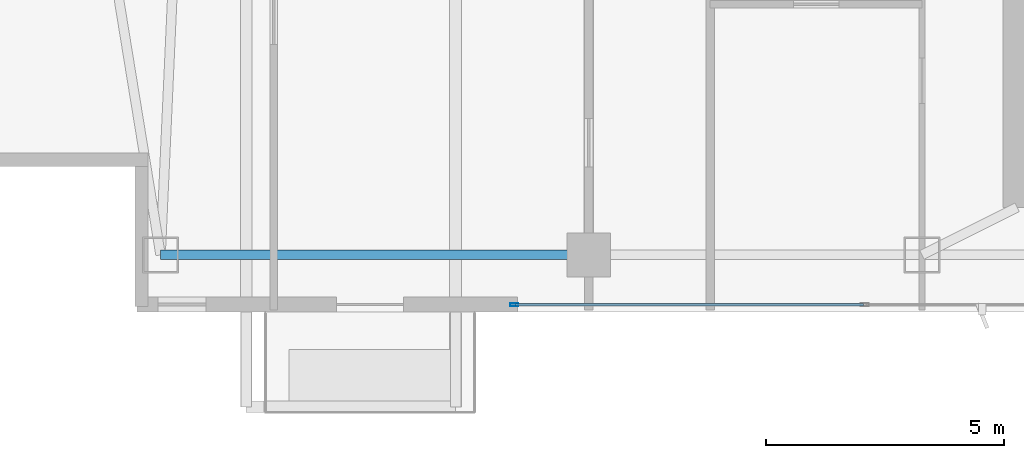
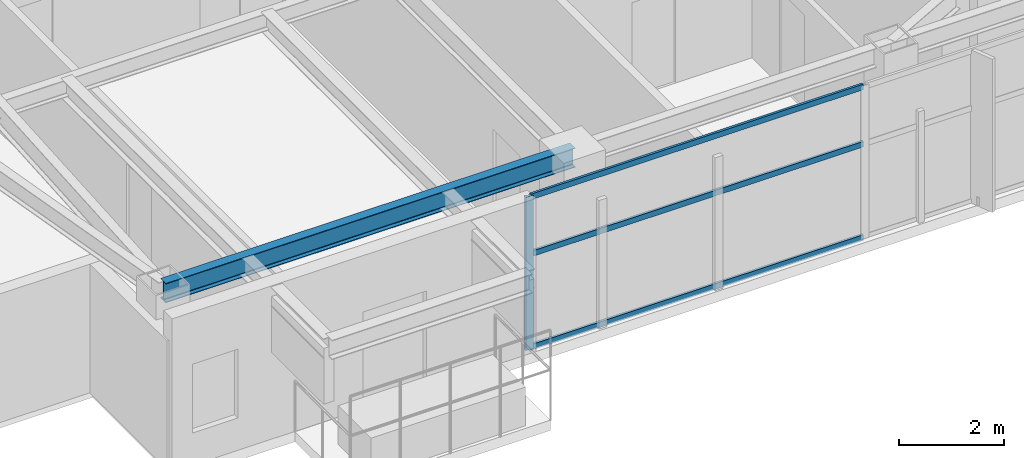
# One storey, part 3 of 28: 4 members, 1 beam, 1 element without a shape of its own.
"""IFC4 building model written with IfcOpenShell, lengths in metres."""

from ifc_helpers import new_model, si_unit, direction, frame, origin, origin_2d, place, context, subcontext, project, spatial, hollow_rectangle, i_section, extrude, material, layer, layer_set, material_profile, profile_set, type_object, element, aggregate, save


model = new_model("IFC4")

# Units and contexts
model_context = context("Model", 3, precision=1e-05, world=origin(), true_north=direction((0.0, 1.0)))
body_context = subcontext(model_context, "Body", "Model", "MODEL_VIEW")
ifc_project = project(units=[si_unit("LENGTHUNIT", "METRE"), si_unit("AREAUNIT", "SQUARE_METRE"), si_unit("VOLUMEUNIT", "CUBIC_METRE"), si_unit("PLANEANGLEUNIT", "RADIAN"), si_unit("MASSUNIT", "GRAM", prefix="KILO")], contexts=[model_context])

# Site, building, storey
site_placement = place(None, origin())
site = spatial("IfcSite", under=ifc_project, at=site_placement, CompositionType="ELEMENT")
building_placement = place(site_placement, origin())
building = spatial("IfcBuilding", under=site, at=building_placement, Name="Calvorn Quay Hotel", CompositionType="ELEMENT")
storey_placement = place(building_placement, frame((0.0, 0.0, 274.89990234375)))
storey = spatial("IfcBuildingStorey", under=building, at=storey_placement, Name="L68", CompositionType="ELEMENT", Elevation=274.89990234375)

# Beam
ifc_material_1 = material(Name="Steel Q355B", Category="steel")
ifc_material_profile_1 = material_profile(ifc_material_1, i_section(OverallWidth=0.199951171875, OverallDepth=0.449951171875, WebThickness=0.009033203125, FlangeThickness=0.013916015625, FilletRadius=0.01611328125, at=origin_2d()), Name="HN450x200x9x14")
ifc_profile_set_1 = profile_set([ifc_material_profile_1], Name="Steel Q355B")
beam_type = type_object("IfcBeamType", Name="BM-SPANDREL-Z3", PredefinedType="SPANDREL", material=ifc_profile_set_1)
beam_placement = place(storey_placement, frame((3.60009765625, 3.60009765625, 3.315185546875), z_axis=(1.0, 0.0, 0.0), x_axis=(0.0, 1.0, 0.0)))
element("IfcBeam", 1, at=beam_placement, inside=storey, type_object=beam_type, Name="Beam BSP-L68-S1", PredefinedType="SPANDREL", context=body_context, shape_type="SweptSolid", body=[
    extrude(i_section(OverallWidth=0.199951171875, OverallDepth=0.449951171875, WebThickness=0.009033203125, FlangeThickness=0.013916015625, FilletRadius=0.01611328125, at=origin_2d()), origin(), (0.0, 0.0, 1.0), 9.0),
])

# Curtain wall, members
ifc_material_2 = material(Name="Champagne Bronze Anodised Aluminium and Low-E Glass", Category="aluminium")
ifc_layer = layer(ifc_material_2, 0.219970703125)
ifc_layer_set = layer_set([ifc_layer], Name="CW-SYS-Z4")
curtain_wall_type = type_object("IfcCurtainWallType", Name="CW-SYS-Z4", PredefinedType="NOTDEFINED", material=ifc_layer_set)
curtain_wall_placement = place(storey_placement, origin())
curtain_wall = element("IfcCurtainWall", 2, at=curtain_wall_placement, inside=storey, type_object=curtain_wall_type, Name="Tower South Waterfront Curtain Wall (L68)", PredefinedType="NOTDEFINED")
ifc_material_3 = material(Name="Champagne Bronze Anodised Aluminium 6063-T6", Category="aluminium")
ifc_material_profile_2 = material_profile(ifc_material_3, hollow_rectangle(XDim=0.06494140625, YDim=0.169921875, WallThickness=0.00341796875, at=origin_2d()), Name="ALU-M170x65x3.5")
ifc_profile_set_2 = profile_set([ifc_material_profile_2], Name="Champagne Bronze Anodised Aluminium 6063-T6")
member_type_1 = type_object("IfcMemberType", Name="CW-SYS-Z4-MUL", PredefinedType="MULLION", material=ifc_profile_set_2)
member_1_placement = place(storey_placement, frame((11.030029296875, 2.550048828125, 0.0), z_axis=(0.0, 0.0, 1.0), x_axis=(0.0, 1.0, 0.0)))
member_1 = element("IfcMember", 3, at=member_1_placement, type_object=member_type_1, Name="CW-L68-S mullion 1", PredefinedType="MULLION", context=body_context, shape_type="SweptSolid", body=[
    extrude(hollow_rectangle(XDim=0.06494140625, YDim=0.169921875, WallThickness=0.00341796875, at=origin_2d()), origin(), (0.0, 0.0, 1.0), 3.56005859375),
])
ifc_material_4 = material(Name="Champagne Bronze Anodised Aluminium 6063-T6", Category="aluminium")
ifc_material_profile_3 = material_profile(ifc_material_4, hollow_rectangle(XDim=0.054931640625, YDim=0.1298828125, WallThickness=0.003173828125, at=origin_2d()), Name="ALU-T130x55x3.2")
ifc_profile_set_3 = profile_set([ifc_material_profile_3], Name="Champagne Bronze Anodised Aluminium 6063-T6")
member_type_2 = type_object("IfcMemberType", Name="CW-SYS-Z4-TRN", PredefinedType="USERDEFINED", material=ifc_profile_set_3)
member_2_placement = place(storey_placement, frame((11.06005859375, 2.550048828125, 0.030029296875), z_axis=(1.0, 0.0, 0.0), x_axis=(0.0, 1.0, 0.0)))
member_2 = element("IfcMember", 4, at=member_2_placement, type_object=member_type_2, Name="CW-L68-S transom 1.1", ObjectType="TRANSOM", PredefinedType="USERDEFINED", context=body_context, shape_type="SweptSolid", body=[
    extrude(hollow_rectangle(XDim=0.054931640625, YDim=0.1298828125, WallThickness=0.003173828125, at=origin_2d()), origin(), (0.0, 0.0, 1.0), 7.31005859375),
])
member_3_placement = place(storey_placement, frame((11.06005859375, 2.550048828125, 2.2001953125), z_axis=(1.0, 0.0, 0.0), x_axis=(0.0, 1.0, 0.0)))
member_3 = element("IfcMember", 5, at=member_3_placement, type_object=member_type_2, Name="CW-L68-S transom 1.2", ObjectType="TRANSOM", PredefinedType="USERDEFINED", context=body_context, shape_type="SweptSolid", body=[
    extrude(hollow_rectangle(XDim=0.054931640625, YDim=0.1298828125, WallThickness=0.003173828125, at=origin_2d()), origin(), (0.0, 0.0, 1.0), 7.31005859375),
])
member_4_placement = place(storey_placement, frame((11.06005859375, 2.550048828125, 3.530029296875), z_axis=(1.0, 0.0, 0.0), x_axis=(0.0, 1.0, 0.0)))
member_4 = element("IfcMember", 6, at=member_4_placement, type_object=member_type_2, Name="CW-L68-S transom 1.3", ObjectType="TRANSOM", PredefinedType="USERDEFINED", context=body_context, shape_type="SweptSolid", body=[
    extrude(hollow_rectangle(XDim=0.054931640625, YDim=0.1298828125, WallThickness=0.003173828125, at=origin_2d()), origin(), (0.0, 0.0, 1.0), 7.31005859375),
])
aggregate(curtain_wall, [member_1, member_2, member_3, member_4])

save(model, "model.ifc")
